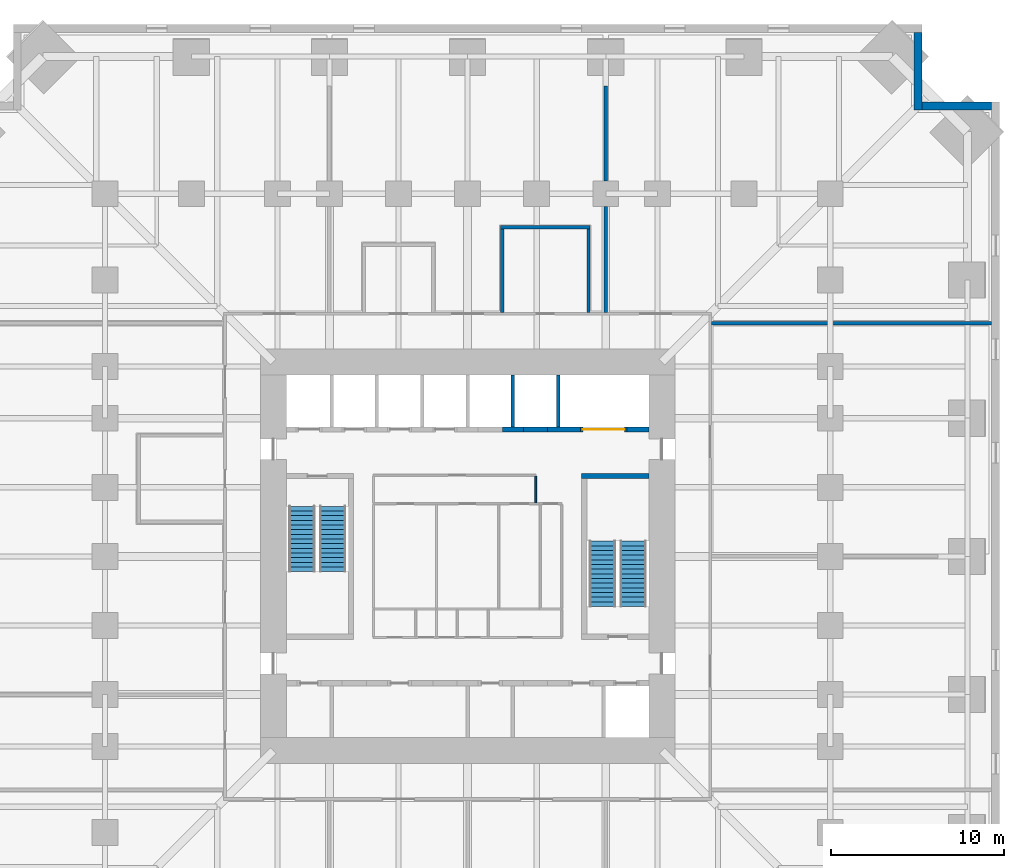
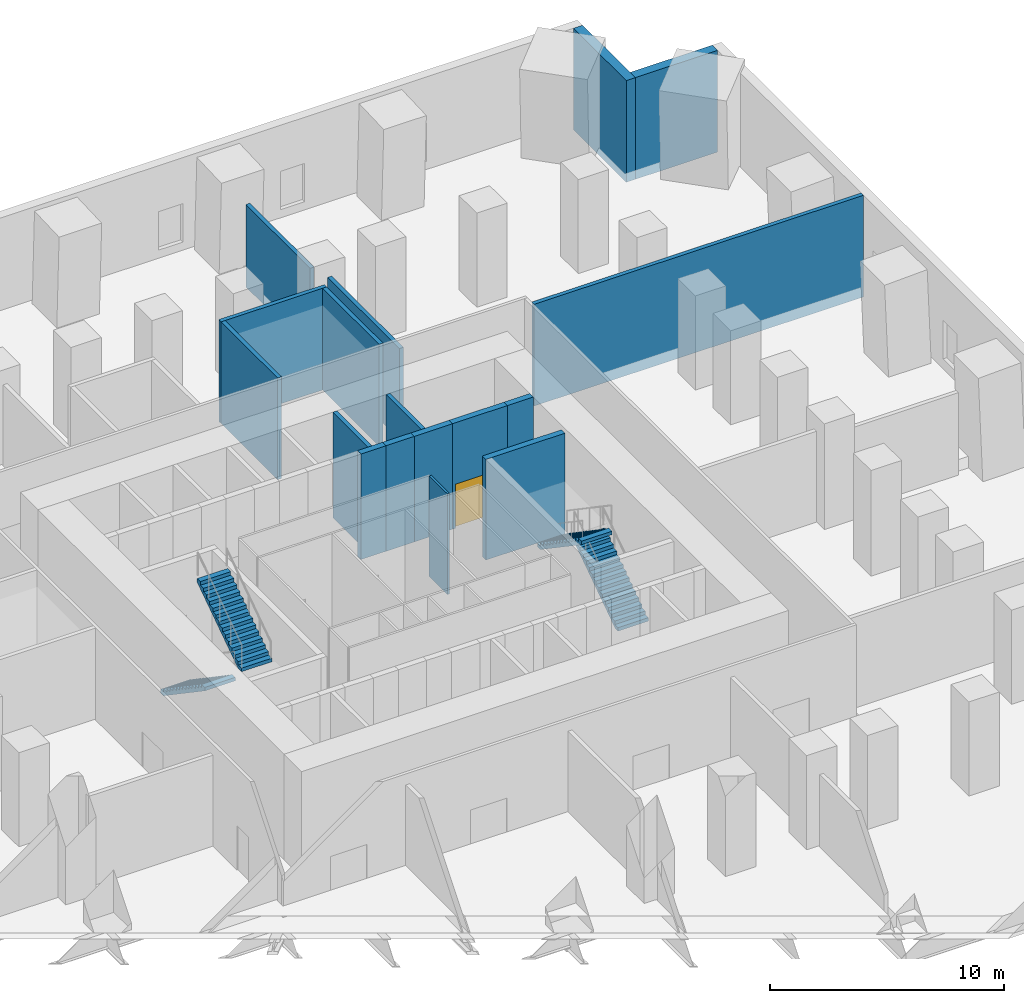
# One storey, part 7 of 8: 17 walls, 4 stair flights, 1 door, 1 opening, 2 elements without a shape of their own.
"""IFC4 building model written with IfcOpenShell, lengths in metres."""

from ifc_helpers import new_model, si_unit, direction, frame, frame_2d, origin, place, context, subcontext, project, spatial, polyline, rectangle, outline, extrude, material, layer, layer_set, type_object, element, fill, aggregate, save


model = new_model("IFC4")

# Units and contexts
model_context = context("Model", 3, precision=1e-05, world=origin(), true_north=direction((0.0, 1.0)))
body_context = subcontext(model_context, "Body", "Model", "MODEL_VIEW")
ifc_project = project(units=[si_unit("LENGTHUNIT", "METRE"), si_unit("AREAUNIT", "SQUARE_METRE"), si_unit("VOLUMEUNIT", "CUBIC_METRE"), si_unit("PLANEANGLEUNIT", "RADIAN"), si_unit("MASSUNIT", "GRAM", prefix="KILO")], contexts=[model_context])

# Site, building, storey
site_placement = place(None, origin())
site = spatial("IfcSite", under=ifc_project, at=site_placement, CompositionType="ELEMENT")
building_placement = place(site_placement, origin())
building = spatial("IfcBuilding", under=site, at=building_placement, Name="Peilmerk Tower", CompositionType="ELEMENT")
storey_placement = place(building_placement, frame((0.0, 0.0, 48.5)))
storey = spatial("IfcBuildingStorey", under=building, at=storey_placement, Name="L09", CompositionType="ELEMENT", Elevation=48.5)

# Walls
ifc_material_1 = material(Name="Precast concrete C45/55, board-marked finish", Category="concrete")
ifc_layer_1 = layer(ifc_material_1, 0.449951171875)
ifc_layer_set_1 = layer_set([ifc_layer_1], Name="Precast concrete C45/55, board-marked finish")
wall_type_1 = type_object("IfcWallType", Name="EW1 450 precast concrete facade wall, board-marked", PredefinedType="SOLIDWALL", material=ifc_layer_set_1)
wall_1_placement = place(storey_placement, frame((26.074951171875, 25.85009765625, 0.0), z_axis=(0.0, 0.0, 1.0), x_axis=(0.0, 1.0, 0.0)))
element("IfcWall", 1, at=wall_1_placement, inside=storey, type_object=wall_type_1, Name="Facade wall NEA L09", PredefinedType="SOLIDWALL", context=body_context, shape_type="SweptSolid", body=[
    extrude(rectangle(XDim=4.5, YDim=0.449951171875, at=frame_2d((2.25, 0.0))), origin(), (0.0, 0.0, 1.0), 5.300048828125),
])
wall_2_placement = place(storey_placement, frame((26.300048828125, 26.074951171875, 0.0), z_axis=(0.0, 0.0, 1.0), x_axis=(1.0, 0.0, 0.0)))
element("IfcWall", 2, at=wall_2_placement, inside=storey, type_object=wall_type_1, Name="Facade wall NEB L09", PredefinedType="SOLIDWALL", context=body_context, shape_type="SweptSolid", body=[
    extrude(rectangle(XDim=4.050048828125, YDim=0.449951171875, at=frame_2d((2.02490234375, 0.0))), origin(), (0.0, 0.0, 1.0), 5.300048828125),
])
ifc_material_2 = material(Name="Calcium silicate block", Category="masonry")
ifc_layer_2 = layer(ifc_material_2, 0.199951171875)
ifc_layer_set_2 = layer_set([ifc_layer_2], Name="Calcium silicate block")
wall_type_2 = type_object("IfcWallType", Name="IW2 200 room separating wall, EI 120", PredefinedType="PARTITIONING", material=ifc_layer_set_2)
wall_3_placement = place(storey_placement, frame((14.125, 13.5, 0.0), z_axis=(0.0, 0.0, 1.0), x_axis=(1.0, 0.0, 0.0)))
element("IfcWall", 3, at=wall_3_placement, inside=storey, type_object=wall_type_2, Name="Room separating wall NE L09", PredefinedType="PARTITIONING", context=body_context, shape_type="SweptSolid", body=[
    extrude(rectangle(XDim=16.22509765625, YDim=0.199951171875, at=frame_2d((8.112548828125, 0.0))), origin(), (0.0, 0.0, 1.0), 5.300048828125),
])
wall_4_placement = place(storey_placement, frame((8.0, 14.125, 0.0), z_axis=(0.0, 0.0, 1.0), x_axis=(0.0, 1.0, 0.0)))
element("IfcWall", 4, at=wall_4_placement, inside=storey, type_object=wall_type_2, Name="Room separating wall N2 L09", PredefinedType="PARTITIONING", context=body_context, shape_type="SweptSolid", body=[
    extrude(rectangle(XDim=6.125, YDim=0.199951171875, at=frame_2d((3.0625, 0.0))), origin(), (0.0, 0.0, 1.0), 4.73095703125),
])
wall_5_placement = place(storey_placement, frame((8.0, 21.75, 0.0), z_axis=(0.0, 0.0, 1.0), x_axis=(0.0, 1.0, 0.0)))
element("IfcWall", 5, at=wall_5_placement, inside=storey, type_object=wall_type_2, Name="Room separating wall N2b L09", PredefinedType="PARTITIONING", context=body_context, shape_type="SweptSolid", body=[
    extrude(rectangle(XDim=5.484375, YDim=0.199951171875, at=frame_2d((2.7421875, 0.0))), origin(), (0.0, 0.0, 1.0), 4.2919921875),
])
wall_6_placement = place(storey_placement, frame((1.89990234375, 19.050048828125, 0.0), z_axis=(0.0, 0.0, 1.0), x_axis=(1.0, 0.0, 0.0)))
element("IfcWall", 6, at=wall_6_placement, inside=storey, type_object=wall_type_2, Name="Room separating wall Operations office L09", PredefinedType="PARTITIONING", context=body_context, shape_type="SweptSolid", body=[
    extrude(rectangle(XDim=5.2001953125, YDim=0.199951171875, at=frame_2d((2.60009765625, 0.0))), origin(), (0.0, 0.0, 1.0), 5.300048828125),
])
for number, where, z_axis, x_axis, name in (
    (7, (2.0, 14.125, 0.0), (0.0, 0.0, 1.0), (0.0, 1.0, 0.0), "Room separating wall Operations office L09"),
    (8, (7.0, 14.125, 0.0), (0.0, 0.0, 1.0), (0.0, 1.0, 0.0), "Room separating wall Operations office L09"),
):
    element("IfcWall", number, at=place(storey_placement, frame(where, z_axis=z_axis, x_axis=x_axis)), inside=storey, type_object=wall_type_2, Name=name, PredefinedType="PARTITIONING", context=body_context, shape_type="SweptSolid", body=[
        extrude(rectangle(XDim=4.824951171875, YDim=0.199951171875, at=frame_2d((2.41259765625, 0.0))), origin(), (0.0, 0.0, 1.0), 5.300048828125),
    ])
ifc_material_3 = material(Name="Concrete C35/45", Category="concrete")
ifc_layer_3 = layer(ifc_material_3, 0.300048828125)
ifc_layer_set_3 = layer_set([ifc_layer_3], Name="Concrete C35/45")
wall_type_3 = type_object("IfcWallType", Name="IW3 300 concrete stair enclosure wall, EI 120", PredefinedType="SOLIDWALL", material=ifc_layer_set_3)
wall_7_placement = place(storey_placement, frame((6.60009765625, 4.64990234375, 0.0), z_axis=(0.0, 0.0, 1.0), x_axis=(1.0, 0.0, 0.0)))
element("IfcWall", 9, at=wall_7_placement, inside=storey, type_object=wall_type_3, Name="Stair 2 enclosure L09", PredefinedType="SOLIDWALL", context=body_context, shape_type="SweptSolid", body=[
    extrude(rectangle(XDim=3.89990234375, YDim=0.300048828125, at=frame_2d((1.949951171875, 0.0))), origin(), (0.0, 0.0, 1.0), 5.25),
])
ifc_material_4 = material(Name="Fire-resisting plasterboard on steel studs", Category="steel")
ifc_layer_4 = layer(ifc_material_4, 0.10009765625)
ifc_layer_set_4 = layer_set([ifc_layer_4], Name="Fire-resisting plasterboard on steel studs")
wall_type_4 = type_object("IfcWallType", Name="IW9 100 WC lobby wall, EI 30", PredefinedType="PARTITIONING", material=ifc_layer_set_4)
wall_8_placement = place(storey_placement, frame((3.949951171875, 3.10009765625, 0.0), z_axis=(0.0, 0.0, 1.0), x_axis=(0.0, 1.0, 0.0)))
element("IfcWall", 10, at=wall_8_placement, inside=storey, type_object=wall_type_4, Name="WC lobby wall L09", PredefinedType="PARTITIONING", context=body_context, shape_type="SweptSolid", body=[
    extrude(rectangle(XDim=1.5498046875, YDim=0.10009765625, at=frame_2d((0.77490234375, 0.0))), origin(), (0.0, 0.0, 1.0), 5.25),
])
ifc_layer_5 = layer(ifc_material_2, 0.199951171875)
ifc_layer_set_5 = layer_set([ifc_layer_5], Name="Calcium silicate block")
wall_type_5 = type_object("IfcWallType", Name="SH1 200 shaft dividing wall, EI 120", PredefinedType="PARTITIONING", material=ifc_layer_set_5)
for number, where, z_axis, x_axis, name in (
    (11, (2.625, 7.5, 0.0), (0.0, 0.0, 1.0), (0.0, 1.0, 0.0), "Shaft wall N S1 L09"),
    (12, (5.25, 7.5, 0.0), (0.0, 0.0, 1.0), (0.0, 1.0, 0.0), "Shaft wall N S2 L09"),
):
    element("IfcWall", number, at=place(storey_placement, frame(where, z_axis=z_axis, x_axis=x_axis)), inside=storey, type_object=wall_type_5, Name=name, PredefinedType="PARTITIONING", context=body_context, shape_type="SweptSolid", body=[
        extrude(rectangle(XDim=3.0, YDim=0.199951171875, at=frame_2d((1.5, 0.0))), origin(), (0.0, 0.0, 1.0), 5.5),
    ])
ifc_layer_6 = layer(ifc_material_2, 0.300048828125)
ifc_layer_set_6 = layer_set([ifc_layer_6], Name="Calcium silicate block")
wall_type_6 = type_object("IfcWallType", Name="SH2 300 lift landing door panel, EI 120", PredefinedType="PARTITIONING", material=ifc_layer_set_6)
wall_9_placement = place(storey_placement, frame((3.237548828125, 7.35009765625, 0.0), z_axis=(0.0, 0.0, 1.0), x_axis=(1.0, 0.0, 0.0)))
element("IfcWall", 13, at=wall_9_placement, inside=storey, type_object=wall_type_6, Name="Lift door panel N S2 L09", PredefinedType="PARTITIONING", context=body_context, shape_type="SweptSolid", body=[
    extrude(rectangle(XDim=1.39990234375, YDim=0.300048828125, at=frame_2d((0.699951171875, 0.0))), origin(), (0.0, 0.0, 1.0), 5.5),
])

# Wall, opening, door
wall_10_placement = place(storey_placement, frame((6.52490234375, 7.35009765625, 0.0), z_axis=(0.0, 0.0, 1.0), x_axis=(1.0, 0.0, 0.0)))
wall_10 = element("IfcWall", 14, at=wall_10_placement, inside=storey, type_object=wall_type_6, Name="Lift door panel N GL1 L09", PredefinedType="PARTITIONING", context=body_context, shape_type="SweptSolid", body=[
    extrude(rectangle(XDim=2.7001953125, YDim=0.300048828125, at=frame_2d((1.35009765625, 0.0))), origin(), (0.0, 0.0, 1.0), 5.5),
])
opening_placement = place(wall_10_placement, frame((0.14990234375, 0.0, 0.0)))
opening = element("IfcOpeningElement", 15, at=opening_placement, cuts=wall_10, Name="Opening LD3", PredefinedType="OPENING", context=body_context, shape_type="SweptSolid", body=[
    extrude(rectangle(XDim=2.39990234375, YDim=2.300048828125, at=frame_2d((1.199951171875, 1.14990234375))), frame((0.0, 0.159912109375, 0.0), z_axis=(0.0, -1.0, 0.0), x_axis=(1.0, 0.0, 0.0)), (0.0, 0.0, 1.0), 0.320068359375),
])
ifc_material_5 = material(Name="Stainless steel landing door", Category="steel")
door_type = type_object("IfcDoorType", Name="LD3 2400x2300 lift landing door, sliding, EI2 60", OperationType="SLIDING_TO_LEFT", PredefinedType="DOOR", material=ifc_material_5)
door_placement = place(opening_placement, frame((2.39990234375, 0.0, 0.0), z_axis=(0.0, 0.0, 1.0), x_axis=(-1.0, 0.0, 0.0)))
door = element("IfcDoor", 16, at=door_placement, inside=storey, type_object=door_type, Name="Lift landing door GL1 L09", OperationType="SLIDING_TO_LEFT", OverallHeight=2.300048828125, OverallWidth=2.39990234375, PredefinedType="DOOR", context=body_context, shape_type="SweptSolid", body=[
    extrude(rectangle(XDim=2.39990234375, YDim=2.300048828125, at=frame_2d((1.199951171875, 1.14990234375))), frame((0.0, 0.02490234375, 0.0), z_axis=(0.0, -1.0, 0.0), x_axis=(1.0, 0.0, 0.0)), (0.0, 0.0, 1.0), 0.050048828125),
])
fill(opening, door)

# Walls
ifc_material_6 = material(Name="Concrete C55/67", Category="concrete")
ifc_layer_7 = layer(ifc_material_6, 0.300048828125)
ifc_layer_set_7 = layer_set([ifc_layer_7], Name="Concrete C55/67")
wall_type_7 = type_object("IfcWallType", Name="SW2 300 lift bank pier", PredefinedType="SHEAR", material=ifc_layer_set_7)
wall_11_placement = place(storey_placement, frame((2.012451171875, 7.35009765625, 0.0), z_axis=(0.0, 0.0, 1.0), x_axis=(1.0, 0.0, 0.0)))
element("IfcWall", 17, at=wall_11_placement, inside=storey, type_object=wall_type_7, Name="Lift bank pier N L09", PredefinedType="SHEAR", context=body_context, shape_type="SweptSolid", body=[
    extrude(rectangle(XDim=1.22509765625, YDim=0.300048828125, at=frame_2d((0.612548828125, 0.0))), origin(), (0.0, 0.0, 1.0), 5.5),
])
wall_12_placement = place(storey_placement, frame((4.637451171875, 7.35009765625, 0.0), z_axis=(0.0, 0.0, 1.0), x_axis=(1.0, 0.0, 0.0)))
element("IfcWall", 18, at=wall_12_placement, inside=storey, type_object=wall_type_7, Name="Lift bank pier N L09", PredefinedType="SHEAR", context=body_context, shape_type="SweptSolid", body=[
    extrude(rectangle(XDim=1.887451171875, YDim=0.300048828125, at=frame_2d((0.94384765625, 0.0))), origin(), (0.0, 0.0, 1.0), 5.5),
])
wall_13_placement = place(storey_placement, frame((9.22509765625, 7.35009765625, 0.0), z_axis=(0.0, 0.0, 1.0), x_axis=(1.0, 0.0, 0.0)))
element("IfcWall", 19, at=wall_13_placement, inside=storey, type_object=wall_type_7, Name="Lift bank pier N L09", PredefinedType="SHEAR", context=body_context, shape_type="SweptSolid", body=[
    extrude(rectangle(XDim=1.27490234375, YDim=0.300048828125, at=frame_2d((0.637451171875, 0.0))), origin(), (0.0, 0.0, 1.0), 5.5),
])

# Stair, stair flights
ifc_material_7 = material(Name="Precast concrete C45/55", Category="concrete")
stair_type_1 = type_object("IfcStairType", Name="ST1 30 risers of 183.3", PredefinedType="HALF_TURN_STAIR", material=ifc_material_7)
stair_1_placement = place(storey_placement, origin())
stair_1 = element("IfcStair", 20, at=stair_1_placement, inside=storey, type_object=stair_type_1, Name="Stair 1 L09 to L10", PredefinedType="HALF_TURN_STAIR")
stair_flight_type = type_object("IfcStairFlightType", Name="SF15 flight, 15 risers of 183.3", PredefinedType="STRAIGHT", material=ifc_material_7)
stair_flight_1_placement = place(storey_placement, frame((-9.60009765625, 2.89990234375, 0.0), z_axis=(0.0, 0.0, 1.0), x_axis=(0.0, -1.0, 0.0)))
stair_flight_1 = element("IfcStairFlight", 21, at=stair_flight_1_placement, type_object=stair_flight_type, Name="ST1 flight 1", NumberOfRisers=15, NumberOfTreads=14, PredefinedType="STRAIGHT", RiserHeight=0.183333333, TreadLength=0.27, context=body_context, shape_type="SweptSolid", body=[
    extrude(outline(polyline([(0.0, 0.0), (0.0, 0.183349609375), (0.27001953125, 0.183349609375), (0.27001953125, 0.36669921875), (0.5400390625, 0.36669921875), (0.5400390625, 0.550048828125), (0.81005859375, 0.550048828125), (0.81005859375, 0.7333984375), (1.080078125, 0.7333984375), (1.080078125, 0.916748046875), (1.35009765625, 0.916748046875), (1.35009765625, 1.10009765625), (1.6201171875, 1.10009765625), (1.6201171875, 1.283447265625), (1.889892578125, 1.283447265625), (1.889892578125, 1.466552734375), (2.159912109375, 1.466552734375), (2.159912109375, 1.64990234375), (2.429931640625, 1.64990234375), (2.429931640625, 1.833251953125), (2.699951171875, 1.833251953125), (2.699951171875, 2.0166015625), (2.969970703125, 2.0166015625), (2.969970703125, 2.199951171875), (3.239990234375, 2.199951171875), (3.239990234375, 2.38330078125), (3.510009765625, 2.38330078125), (3.510009765625, 2.566650390625), (3.780029296875, 2.566650390625), (3.780029296875, 2.75), (3.780029296875, 2.385498046875), (0.266845703125, 0.0), (0.0, 0.0)])), frame((0.0, 0.75, 0.0), z_axis=(0.0, -1.0, 0.0), x_axis=(1.0, 0.0, 0.0)), (0.0, 0.0, 1.0), 1.5),
])
stair_flight_2_placement = place(storey_placement, frame((-7.800048828125, -0.8798828125, 2.75), z_axis=(0.0, 0.0, 1.0), x_axis=(0.0, 1.0, 0.0)))
stair_flight_2 = element("IfcStairFlight", 22, at=stair_flight_2_placement, type_object=stair_flight_type, Name="ST1 flight 2", NumberOfRisers=15, NumberOfTreads=14, PredefinedType="STRAIGHT", RiserHeight=0.183333333, TreadLength=0.27, context=body_context, shape_type="SweptSolid", body=[
    extrude(outline(polyline([(0.0, 0.0), (0.0, 0.183349609375), (0.27001953125, 0.183349609375), (0.27001953125, 0.36669921875), (0.5400390625, 0.36669921875), (0.5400390625, 0.550048828125), (0.81005859375, 0.550048828125), (0.81005859375, 0.7333984375), (1.080078125, 0.7333984375), (1.080078125, 0.916748046875), (1.35009765625, 0.916748046875), (1.35009765625, 1.10009765625), (1.6201171875, 1.10009765625), (1.6201171875, 1.283447265625), (1.889892578125, 1.283447265625), (1.889892578125, 1.466552734375), (2.159912109375, 1.466552734375), (2.159912109375, 1.64990234375), (2.429931640625, 1.64990234375), (2.429931640625, 1.833251953125), (2.699951171875, 1.833251953125), (2.699951171875, 2.0166015625), (2.969970703125, 2.0166015625), (2.969970703125, 2.199951171875), (3.239990234375, 2.199951171875), (3.239990234375, 2.38330078125), (3.510009765625, 2.38330078125), (3.510009765625, 2.566650390625), (3.780029296875, 2.566650390625), (3.780029296875, 2.75), (3.780029296875, 2.385498046875), (0.266845703125, 0.0), (0.0, 0.0)])), frame((0.0, 0.75, 0.0), z_axis=(0.0, -1.0, 0.0), x_axis=(1.0, 0.0, 0.0)), (0.0, 0.0, 1.0), 1.5),
])
aggregate(stair_1, [stair_flight_1, stair_flight_2])

stair_type_2 = type_object("IfcStairType", Name="ST2 30 risers of 183.3", PredefinedType="HALF_TURN_STAIR", material=ifc_material_7)
stair_2_placement = place(storey_placement, origin())
stair_2 = element("IfcStair", 23, at=stair_2_placement, inside=storey, type_object=stair_type_2, Name="Stair 2 L09 to L10", PredefinedType="HALF_TURN_STAIR")
stair_flight_3_placement = place(storey_placement, frame((9.60009765625, -2.89990234375, 0.0), z_axis=(0.0, 0.0, 1.0), x_axis=(0.0, 1.0, 0.0)))
stair_flight_3 = element("IfcStairFlight", 24, at=stair_flight_3_placement, type_object=stair_flight_type, Name="ST2 flight 1", NumberOfRisers=15, NumberOfTreads=14, PredefinedType="STRAIGHT", RiserHeight=0.183333333, TreadLength=0.27, context=body_context, shape_type="SweptSolid", body=[
    extrude(outline(polyline([(0.0, 0.0), (0.0, 0.183349609375), (0.27001953125, 0.183349609375), (0.27001953125, 0.36669921875), (0.5400390625, 0.36669921875), (0.5400390625, 0.550048828125), (0.81005859375, 0.550048828125), (0.81005859375, 0.7333984375), (1.080078125, 0.7333984375), (1.080078125, 0.916748046875), (1.35009765625, 0.916748046875), (1.35009765625, 1.10009765625), (1.6201171875, 1.10009765625), (1.6201171875, 1.283447265625), (1.889892578125, 1.283447265625), (1.889892578125, 1.466552734375), (2.159912109375, 1.466552734375), (2.159912109375, 1.64990234375), (2.429931640625, 1.64990234375), (2.429931640625, 1.833251953125), (2.699951171875, 1.833251953125), (2.699951171875, 2.0166015625), (2.969970703125, 2.0166015625), (2.969970703125, 2.199951171875), (3.239990234375, 2.199951171875), (3.239990234375, 2.38330078125), (3.510009765625, 2.38330078125), (3.510009765625, 2.566650390625), (3.780029296875, 2.566650390625), (3.780029296875, 2.75), (3.780029296875, 2.385498046875), (0.266845703125, 0.0), (0.0, 0.0)])), frame((0.0, 0.75, 0.0), z_axis=(0.0, -1.0, 0.0), x_axis=(1.0, 0.0, 0.0)), (0.0, 0.0, 1.0), 1.5),
])
stair_flight_4_placement = place(storey_placement, frame((7.800048828125, 0.8798828125, 2.75), z_axis=(0.0, 0.0, 1.0), x_axis=(0.0, -1.0, 0.0)))
stair_flight_4 = element("IfcStairFlight", 25, at=stair_flight_4_placement, type_object=stair_flight_type, Name="ST2 flight 2", NumberOfRisers=15, NumberOfTreads=14, PredefinedType="STRAIGHT", RiserHeight=0.183333333, TreadLength=0.27, context=body_context, shape_type="SweptSolid", body=[
    extrude(outline(polyline([(0.0, 0.0), (0.0, 0.183349609375), (0.27001953125, 0.183349609375), (0.27001953125, 0.36669921875), (0.5400390625, 0.36669921875), (0.5400390625, 0.550048828125), (0.81005859375, 0.550048828125), (0.81005859375, 0.7333984375), (1.080078125, 0.7333984375), (1.080078125, 0.916748046875), (1.35009765625, 0.916748046875), (1.35009765625, 1.10009765625), (1.6201171875, 1.10009765625), (1.6201171875, 1.283447265625), (1.889892578125, 1.283447265625), (1.889892578125, 1.466552734375), (2.159912109375, 1.466552734375), (2.159912109375, 1.64990234375), (2.429931640625, 1.64990234375), (2.429931640625, 1.833251953125), (2.699951171875, 1.833251953125), (2.699951171875, 2.0166015625), (2.969970703125, 2.0166015625), (2.969970703125, 2.199951171875), (3.239990234375, 2.199951171875), (3.239990234375, 2.38330078125), (3.510009765625, 2.38330078125), (3.510009765625, 2.566650390625), (3.780029296875, 2.566650390625), (3.780029296875, 2.75), (3.780029296875, 2.385498046875), (0.266845703125, 0.0), (0.0, 0.0)])), frame((0.0, 0.75, 0.0), z_axis=(0.0, -1.0, 0.0), x_axis=(1.0, 0.0, 0.0)), (0.0, 0.0, 1.0), 1.5),
])
aggregate(stair_2, [stair_flight_3, stair_flight_4])

save(model, "model.ifc")
